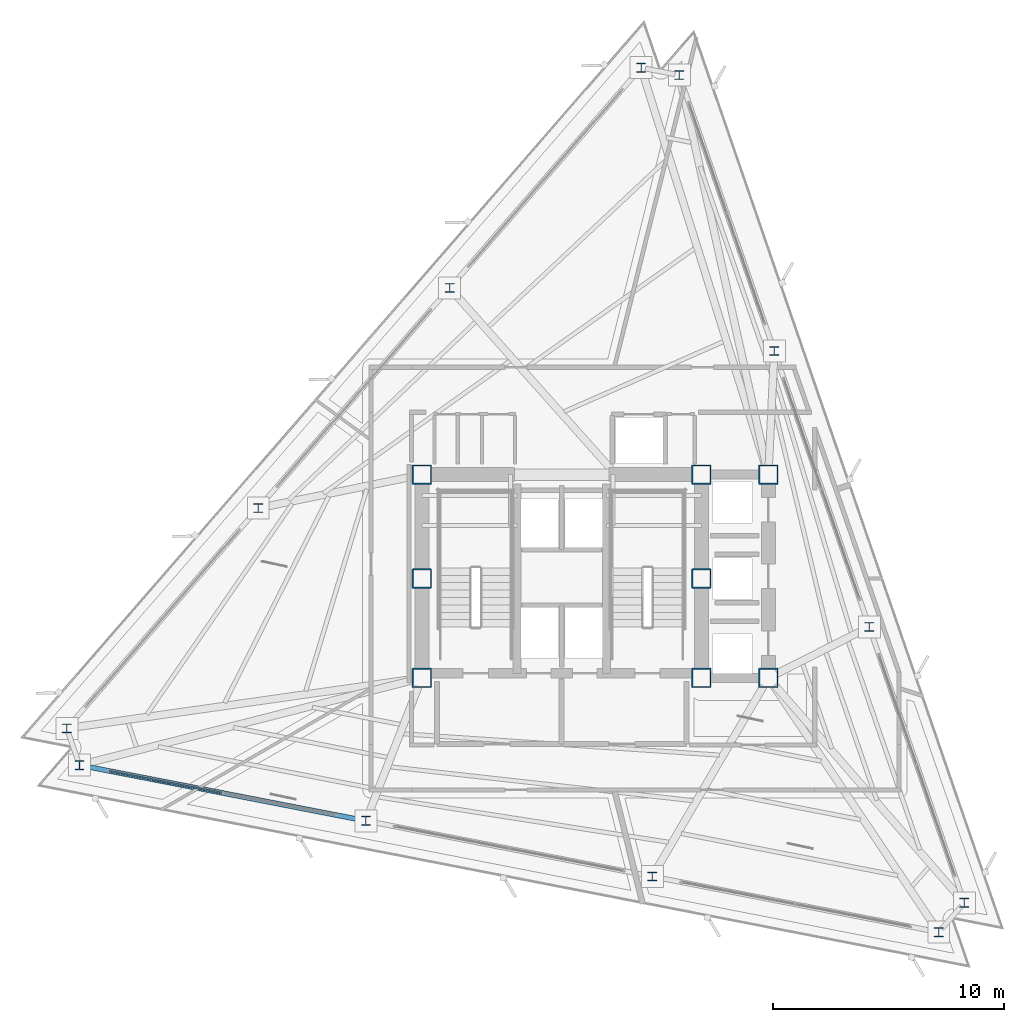
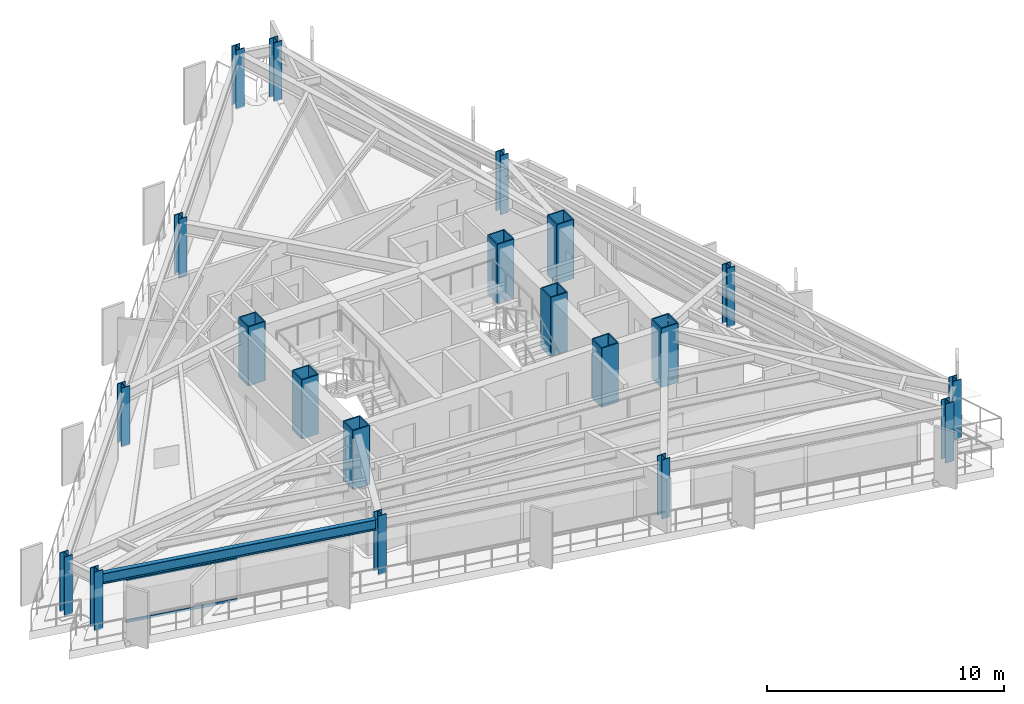
# One storey, part 1 of 13: 20 columns, 2 members, 1 beam, 1 element without a shape of its own.
"""IFC4 building model written with IfcOpenShell, lengths in metres."""

import ifcopenshell
import ifcopenshell.guid

model = None  # the IFC model being written
_history = None  # IfcOwnerHistory: only IFC2X3 demands one
_inside = {}  # id of a spatial element -> (the spatial element, [elements in it])
_under = {}  # id of a project, library or spatial element -> (it, [spatial elements below it])
_declared = {}  # id of a project -> (the project, [libraries it declares])
_typed = {}  # id of a type object -> (the type object, [elements of that type])
_made_of = {}  # id of a material, layer set ... -> (it, [elements and type objects made of it])


def new_model(schema):
    """Start an empty IFC model of exactly this schema.

    Asked for "IFC4X3", IfcOpenShell would pick the latest addendum, in which some entities
    have other attributes; the version numbers below select the first issue.
    IFC2X3 requires an IfcOwnerHistory on every rooted entity: one is made here for all.
    """
    global model, _history
    if schema == "IFC4X3":
        model = ifcopenshell.file(schema_version=(4, 3, 0, 0))
    else:
        model = ifcopenshell.file(schema=schema)
    _inside.clear()
    _under.clear()
    _declared.clear()
    _typed.clear()
    _made_of.clear()
    _history = None
    if model.schema == "IFC2X3":
        org = make("IfcOrganization", Name="unknown")
        user = make(
            "IfcPersonAndOrganization",
            ThePerson=make("IfcPerson", FamilyName="unknown"),
            TheOrganization=org,
        )
        app = make(
            "IfcApplication",
            ApplicationDeveloper=org,
            Version="unknown",
            ApplicationFullName="unknown",
            ApplicationIdentifier="unknown",
        )
        _history = make(
            "IfcOwnerHistory",
            OwningUser=user,
            OwningApplication=app,
            ChangeAction="ADDED",
            CreationDate=0,
        )
    return model


def make(cls, **values):
    """One entity of the class cls with the attributes given. An attribute that is None is left unset."""
    return model.create_entity(
        cls, **{name: value for name, value in values.items() if value is not None}
    )


def rooted(cls, **values):
    """An entity with a GlobalId (a new one), such as an element, a storey or a relation."""
    return make(cls, GlobalId=ifcopenshell.guid.new(), OwnerHistory=_history, **values)


def si_unit(unit_type, name, prefix=None):
    """IfcSIUnit, for example si_unit("LENGTHUNIT", "METRE", prefix="MILLI")."""
    return make("IfcSIUnit", UnitType=unit_type, Prefix=prefix, Name=name)


def assignment(units):
    """IfcUnitAssignment: the units of a project."""
    return None if units is None else make("IfcUnitAssignment", Units=units)


def point(xyz):
    """IfcCartesianPoint."""
    return None if xyz is None else make("IfcCartesianPoint", Coordinates=xyz)


def direction(xyz):
    """IfcDirection."""
    return None if xyz is None else make("IfcDirection", DirectionRatios=xyz)


def frame(location, z_axis=None, x_axis=None):
    """IfcAxis2Placement3D, a coordinate frame: its origin and axes. An axis left out is left unset."""
    return make(
        "IfcAxis2Placement3D",
        Location=point(location),
        Axis=direction(z_axis),
        RefDirection=direction(x_axis),
    )


def frame_2d(location, x_axis=None):
    """IfcAxis2Placement2D, a coordinate frame in the plane: its origin and x axis."""
    return make(
        "IfcAxis2Placement2D", Location=point(location), RefDirection=direction(x_axis)
    )


def origin():
    """The frame at (0, 0, 0) with its axes left unset."""
    return frame((0.0, 0.0, 0.0))


def origin_2d():
    """The frame at (0, 0) in the plane with its x axis left unset."""
    return frame_2d((0.0, 0.0))


def place(relative_to, where):
    """IfcLocalPlacement: puts the frame where relative to a parent placement (None: the world)."""
    return make(
        "IfcLocalPlacement", PlacementRelTo=relative_to, RelativePlacement=where
    )


def context(
    kind, dimensions, precision=None, world=None, true_north=None, identifier=None
):
    """IfcGeometricRepresentationContext, for example the 3D "Model" context."""
    return make(
        "IfcGeometricRepresentationContext",
        ContextIdentifier=identifier,
        ContextType=kind,
        CoordinateSpaceDimension=dimensions,
        Precision=precision,
        WorldCoordinateSystem=world,
        TrueNorth=true_north,
    )


def subcontext(parent, identifier, kind, view, scale=None):
    """IfcGeometricRepresentationSubContext, for example "Body" below "Model"."""
    return make(
        "IfcGeometricRepresentationSubContext",
        ContextIdentifier=identifier,
        ContextType=kind,
        ParentContext=parent,
        TargetScale=scale,
        TargetView=view,
    )


def project(units=None, contexts=None):
    """IfcProject with its units and contexts."""
    return rooted(
        "IfcProject",
        Name="project",
        RepresentationContexts=contexts,
        UnitsInContext=assignment(units),
    )


def spatial(cls, under=None, at=None, **own):
    """A site, building, storey or space (cls), placed at a placement, below another one or the project."""
    s = rooted(cls, ObjectPlacement=at, **own)
    if under is not None:
        _under.setdefault(under.id(), (under, []))[1].append(s)
    return s


def profile(cls, at=None, kind="AREA", **sizes):
    """A parametric profile (cls). Its sizes go by their IFC names, for example OverallWidth=200.0."""
    return make(cls, ProfileType=kind, Position=at, **sizes)


def rectangle(**sizes):
    """IfcRectangleProfileDef."""
    return profile("IfcRectangleProfileDef", **sizes)


def hollow_rectangle(**sizes):
    """IfcRectangleHollowProfileDef."""
    return profile("IfcRectangleHollowProfileDef", **sizes)


def i_section(**sizes):
    """IfcIShapeProfileDef."""
    return profile("IfcIShapeProfileDef", **sizes)


def extrude(swept, where, along, depth):
    """IfcExtrudedAreaSolid: the profile swept, set in the frame where, extruded along a direction by depth."""
    return make(
        "IfcExtrudedAreaSolid",
        SweptArea=swept,
        Position=where,
        ExtrudedDirection=direction(along),
        Depth=depth,
    )


def shape(context_of_items, identifier, shape_type, items):
    """IfcShapeRepresentation: the items that make up one representation, for example the "Body"."""
    return make(
        "IfcShapeRepresentation",
        ContextOfItems=context_of_items,
        RepresentationIdentifier=identifier,
        RepresentationType=shape_type,
        Items=items,
    )


def material(Name=None, Category=None):
    """IfcMaterial."""
    return make("IfcMaterial", Name=Name, Category=Category)


def layer(
    of_material, thickness, ventilated=None, Name=None, Category=None, Priority=None
):
    """IfcMaterialLayer: one layer of a wall or slab, of a material (None: an air gap)."""
    return make(
        "IfcMaterialLayer",
        Material=of_material,
        LayerThickness=thickness,
        IsVentilated=ventilated,
        Name=Name,
        Category=Category,
        Priority=Priority,
    )


def layer_set(layers, Name=None):
    """IfcMaterialLayerSet."""
    return make("IfcMaterialLayerSet", MaterialLayers=layers, LayerSetName=Name)


def material_profile(
    of_material, cross_section, Name=None, Category=None, Priority=None
):
    """IfcMaterialProfile: a cross section and its material."""
    return make(
        "IfcMaterialProfile",
        Name=Name,
        Material=of_material,
        Profile=cross_section,
        Priority=Priority,
        Category=Category,
    )


def profile_set(profiles, Name=None, composite=None):
    """IfcMaterialProfileSet."""
    return make(
        "IfcMaterialProfileSet",
        Name=Name,
        MaterialProfiles=profiles,
        CompositeProfile=composite,
    )


def made_of(thing, what):
    """Note that an element or type object is made of a material, layer set ...; save() writes the relation."""
    if what is not None:
        _made_of.setdefault(what.id(), (what, []))[1].append(thing)
    return thing


def type_object(cls, material=None, **own):
    """A type object (cls), such as IfcWallType, which elements share."""
    return made_of(rooted(cls, **own), material)


def element(
    cls,
    number,
    at=None,
    inside=None,
    cuts=None,
    type_object=None,
    material=None,
    context=None,
    identifier="Body",
    shape_type=None,
    held_by="IfcProductDefinitionShape",
    body=None,
    shapes=None,
    **own,
):
    """One element of the class cls, such as IfcWall. Its Tag is "e" and its number.

    at: its placement. inside: the storey or other place that contains it. cuts: it is an
    opening in that element (IfcRelVoidsElement). A single representation is given by context,
    identifier, shape_type and body (its items); several are given by shapes. held_by: the class
    of the entity that holds the representations. save() writes the other relations.
    """
    e = rooted(cls, Tag="e%d" % number, ObjectPlacement=at, **own)
    if body is not None:
        shapes = [shape(context, identifier, shape_type, body)]
    if shapes is not None:
        e.Representation = make(held_by, Representations=shapes)
    if inside is not None:
        _inside.setdefault(inside.id(), (inside, []))[1].append(e)
    if cuts is not None:
        rooted(
            "IfcRelVoidsElement", RelatingBuildingElement=cuts, RelatedOpeningElement=e
        )
    if type_object is not None:
        _typed.setdefault(type_object.id(), (type_object, []))[1].append(e)
    return made_of(e, material)


def aggregate(whole, parts):
    """IfcRelAggregates: a whole, such as a stair, and the parts it consists of."""
    return rooted("IfcRelAggregates", RelatingObject=whole, RelatedObjects=parts)


def save(model, path):
    """Write the relations noted so far, then the file.

    IfcRelAggregates (storeys below a building ...), IfcRelContainedInSpatialStructure (elements
    in a storey), IfcRelDefinesByType, IfcRelAssociatesMaterial and IfcRelDeclares: one each for
    every whole, place, type object, material and project.
    """
    for whole, parts in _under.values():
        aggregate(whole, parts)
    for where, things in _inside.values():
        rooted(
            "IfcRelContainedInSpatialStructure",
            RelatedElements=things,
            RelatingStructure=where,
        )
    for kind, things in _typed.values():
        rooted("IfcRelDefinesByType", RelatedObjects=things, RelatingType=kind)
    for what, things in _made_of.values():
        rooted("IfcRelAssociatesMaterial", RelatedObjects=things, RelatingMaterial=what)
    for by, libraries in _declared.values():
        rooted("IfcRelDeclares", RelatingContext=by, RelatedDefinitions=libraries)
    model.write(path)


model = new_model("IFC4")

# Units and contexts
model_context = context("Model", 3, precision=1e-05, world=origin(), true_north=direction((0.0, 1.0)))
body_context = subcontext(model_context, "Body", "Model", "MODEL_VIEW")
ifc_project = project(units=[si_unit("LENGTHUNIT", "METRE"), si_unit("AREAUNIT", "SQUARE_METRE"), si_unit("VOLUMEUNIT", "CUBIC_METRE"), si_unit("PLANEANGLEUNIT", "RADIAN"), si_unit("MASSUNIT", "GRAM", prefix="KILO")], contexts=[model_context])

# Site, building, storey
site_placement = place(None, origin())
site = spatial("IfcSite", under=ifc_project, at=site_placement, CompositionType="ELEMENT")
building_placement = place(site_placement, origin())
building = spatial("IfcBuilding", under=site, at=building_placement, Name="Rocaltana Carrier Exchange", CompositionType="ELEMENT")
storey_placement = place(building_placement, frame((0.0, 0.0, 147.199951171875)))
storey = spatial("IfcBuildingStorey", under=building, at=storey_placement, Name="L46", CompositionType="ELEMENT", Elevation=147.199951171875)

# Columns
ifc_material_1 = material(Name="Steel S460", Category="steel")
ifc_material_profile_1 = material_profile(ifc_material_1, hollow_rectangle(XDim=0.85009765625, YDim=0.85009765625, WallThickness=0.054931640625, InnerFilletRadius=0.02001953125, OuterFilletRadius=0.0400390625, at=origin_2d()), Name="BOX850X850X55")
ifc_profile_set_1 = profile_set([ifc_material_profile_1], Name="Steel S460")
column_type_1 = type_object("IfcColumnType", Name="Core Mega-Column BOX850", PredefinedType="COLUMN", material=ifc_profile_set_1)
for number, where, z_axis, x_axis, name in (
    (1, (-6.050048828125, 4.5, 0.0), (0.0, 0.0, 1.0), (1.0, 0.0, 0.0), "L46 Core Mega-Column MC1"),
    (2, (6.050048828125, 4.5, 0.0), (0.0, 0.0, 1.0), (1.0, 0.0, 0.0), "L46 Core Mega-Column MC2"),
    (3, (-6.050048828125, 0.0, 0.0), (0.0, 0.0, 1.0), (1.0, 0.0, 0.0), "L46 Core Mega-Column MC3"),
    (4, (6.050048828125, 0.0, 0.0), (0.0, 0.0, 1.0), (1.0, 0.0, 0.0), "L46 Core Mega-Column MC4"),
    (5, (-6.050048828125, -4.300048828125, 0.0), (0.0, 0.0, 1.0), (1.0, 0.0, 0.0), "L46 Core Mega-Column MC5"),
    (6, (6.050048828125, -4.300048828125, 0.0), (0.0, 0.0, 1.0), (1.0, 0.0, 0.0), "L46 Core Mega-Column MC6"),
    (7, (8.949951171875, 4.5, 0.0), (0.0, 0.0, 1.0), (1.0, 0.0, 0.0), "L46 East Core Column EC1"),
    (8, (8.949951171875, -4.300048828125, 0.0), (0.0, 0.0, 1.0), (1.0, 0.0, 0.0), "L46 East Core Column EC2"),
):
    element("IfcColumn", number, at=place(storey_placement, frame(where, z_axis=z_axis, x_axis=x_axis)), inside=storey, type_object=column_type_1, Name=name, PredefinedType="COLUMN", context=body_context, shape_type="SweptSolid", body=[
        extrude(hollow_rectangle(XDim=0.85009765625, YDim=0.85009765625, WallThickness=0.054931640625, InnerFilletRadius=0.02001953125, OuterFilletRadius=0.0400390625, at=origin_2d()), origin(), (0.0, 0.0, 1.0), 3.0400390625),
    ])
ifc_material_2 = material(Name="Steel S355", Category="steel")
ifc_material_profile_2 = material_profile(ifc_material_2, i_section(OverallWidth=0.40087890625, OverallDepth=0.39892578125, WebThickness=0.02490234375, FlangeThickness=0.03955078125, FilletRadius=0.01806640625, at=origin_2d()), Name="W14X211")
ifc_profile_set_2 = profile_set([ifc_material_profile_2], Name="Steel S355")
column_type_2 = type_object("IfcColumnType", Name="Perimeter Column W14X211", PredefinedType="COLUMN", material=ifc_profile_set_2)
for number, where, z_axis, x_axis, name in (
    (9, (17.43408203125, -14.038818359375, 0.0), (0.0, 0.0, 1.0), (1.0, 0.0, 0.0), "L46 Perimeter Column TC01"),
    (10, (13.321044921875, -2.09375, 0.0), (0.0, 0.0, 1.0), (1.0, 0.0, 0.0), "L46 Perimeter Column TC02"),
    (11, (9.2080078125, 9.851318359375, 0.0), (0.0, 0.0, 1.0), (1.0, 0.0, 0.0), "L46 Perimeter Column TC03"),
    (12, (5.094970703125, 21.79638671875, 0.0), (0.0, 0.0, 1.0), (1.0, 0.0, 0.0), "L46 Perimeter Column TC04"),
    (13, (3.44091796875, 22.117919921875, 0.0), (0.0, 0.0, 1.0), (1.0, 0.0, 0.0), "L46 Perimeter Column TC05"),
    (14, (-4.84716796875, 12.583251953125, 0.0), (0.0, 0.0, 1.0), (1.0, 0.0, 0.0), "L46 Perimeter Column TC06"),
    (15, (-13.135498046875, 3.048828125, 0.0), (0.0, 0.0, 1.0), (1.0, 0.0, 0.0), "L46 Perimeter Column TC07"),
    (16, (-21.423583984375, -6.485595703125, 0.0), (0.0, 0.0, 1.0), (1.0, 0.0, 0.0), "L46 Perimeter Column TC08"),
    (17, (-20.875, -8.078857421875, 0.0), (0.0, 0.0, 1.0), (1.0, 0.0, 0.0), "L46 Perimeter Column TC09"),
    (18, (-8.473876953125, -10.489501953125, 0.0), (0.0, 0.0, 1.0), (1.0, 0.0, 0.0), "L46 Perimeter Column TC10"),
    (19, (3.927490234375, -12.89990234375, 0.0), (0.0, 0.0, 1.0), (1.0, 0.0, 0.0), "L46 Perimeter Column TC11"),
    (20, (16.32861328125, -15.310546875, 0.0), (0.0, 0.0, 1.0), (1.0, 0.0, 0.0), "L46 Perimeter Column TC12"),
):
    element("IfcColumn", number, at=place(storey_placement, frame(where, z_axis=z_axis, x_axis=x_axis)), inside=storey, type_object=column_type_2, Name=name, PredefinedType="COLUMN", context=body_context, shape_type="SweptSolid", body=[
        extrude(i_section(OverallWidth=0.40087890625, OverallDepth=0.39892578125, WebThickness=0.02490234375, FlangeThickness=0.03955078125, FilletRadius=0.01806640625, at=origin_2d()), origin(), (0.0, 0.0, 1.0), 3.0400390625),
    ])

# Curtain wall, members
ifc_material_3 = material(Name="Aluminium 6063-T6", Category="aluminium")
ifc_layer = layer(ifc_material_3, 0.135009765625)
ifc_layer_set = layer_set([ifc_layer], Name="Aluminium 6063-T6")
curtain_wall_type = type_object("IfcCurtainWallType", Name="Upper-Mid Acoustic Curtain Wall CW-04", PredefinedType="NOTDEFINED", material=ifc_layer_set)
curtain_wall_placement = place(storey_placement, origin())
curtain_wall = element("IfcCurtainWall", 21, at=curtain_wall_placement, inside=storey, type_object=curtain_wall_type, Name="L46 CW-04 Run CW-L46-F3S1", PredefinedType="NOTDEFINED")
ifc_material_4 = material(Name="Aluminium 6063-T6", Category="aluminium")
ifc_material_profile_3 = material_profile(ifc_material_4, rectangle(XDim=0.06494140625, YDim=0.135009765625, at=origin_2d()), Name="AL-65X135")
ifc_profile_set_3 = profile_set([ifc_material_profile_3], Name="Aluminium 6063-T6")
member_type = type_object("IfcMemberType", Name="CW-04 Transom AL-65X135", PredefinedType="USERDEFINED", material=ifc_profile_set_3)
member_1_placement = place(storey_placement, frame((-19.584228515625, -8.329833984375, 0.032470703125), z_axis=(0.981633795462, -0.190774976365, 0.0), x_axis=(0.190774976365, 0.981633795462, 0.0)))
member_1 = element("IfcMember", 22, at=member_1_placement, type_object=member_type, Name="CW-04 transom 1.1", ObjectType="TRANSOM", PredefinedType="USERDEFINED", context=body_context, shape_type="SweptSolid", body=[
    extrude(rectangle(XDim=0.06494140625, YDim=0.135009765625, at=origin_2d()), origin(), (0.0, 0.0, 1.0), 4.96923828125),
])
member_2_placement = place(storey_placement, frame((-19.584228515625, -8.329833984375, 2.185546875), z_axis=(0.981633795462, -0.190774976365, 0.0), x_axis=(0.190774976365, 0.981633795462, 0.0)))
member_2 = element("IfcMember", 23, at=member_2_placement, type_object=member_type, Name="CW-04 transom 1.2", ObjectType="TRANSOM", PredefinedType="USERDEFINED", context=body_context, shape_type="SweptSolid", body=[
    extrude(rectangle(XDim=0.06494140625, YDim=0.135009765625, at=origin_2d()), origin(), (0.0, 0.0, 1.0), 4.96923828125),
])
aggregate(curtain_wall, [member_1, member_2])

# Beam
ifc_material_5 = material(Name="Steel S355", Category="steel")
ifc_material_profile_4 = material_profile(ifc_material_5, i_section(OverallWidth=0.2119140625, OverallDepth=0.5439453125, WebThickness=0.01318359375, FlangeThickness=0.021240234375, FilletRadius=0.014892578125, at=origin_2d()), Name="W21X83")
ifc_profile_set_4 = profile_set([ifc_material_profile_4], Name="Steel S355")
beam_type = type_object("IfcBeamType", Name="Spandrel Edge Beam W21X83", PredefinedType="SPANDREL", material=ifc_profile_set_4)
beam_placement = place(storey_placement, frame((-20.68701171875, -8.115478515625, 2.51611328125), z_axis=(0.981627937951, -0.190805113754, 0.0), x_axis=(0.190805113754, 0.981627937951, 0.0)))
element("IfcBeam", 24, at=beam_placement, inside=storey, type_object=beam_type, Name="SP-L46-09", PredefinedType="SPANDREL", context=body_context, shape_type="SweptSolid", body=[
    extrude(i_section(OverallWidth=0.2119140625, OverallDepth=0.5439453125, WebThickness=0.01318359375, FlangeThickness=0.021240234375, FilletRadius=0.014892578125, at=origin_2d()), origin(), (0.0, 0.0, 1.0), 12.250244140625),
])

save(model, "model.ifc")
